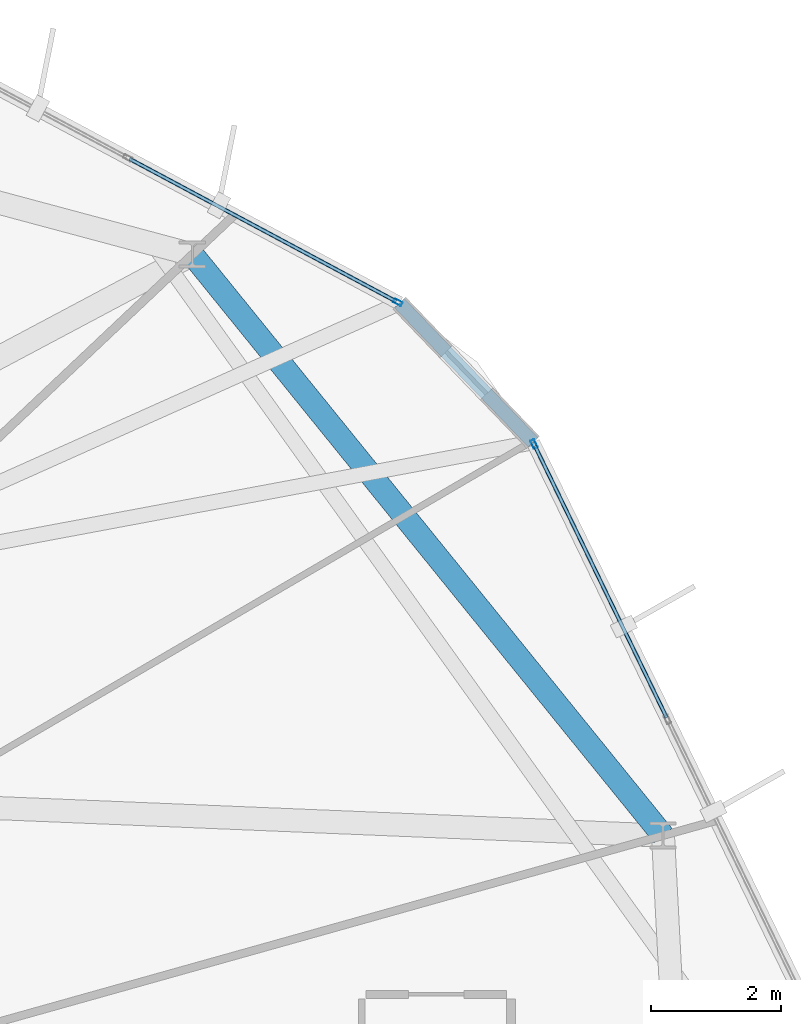
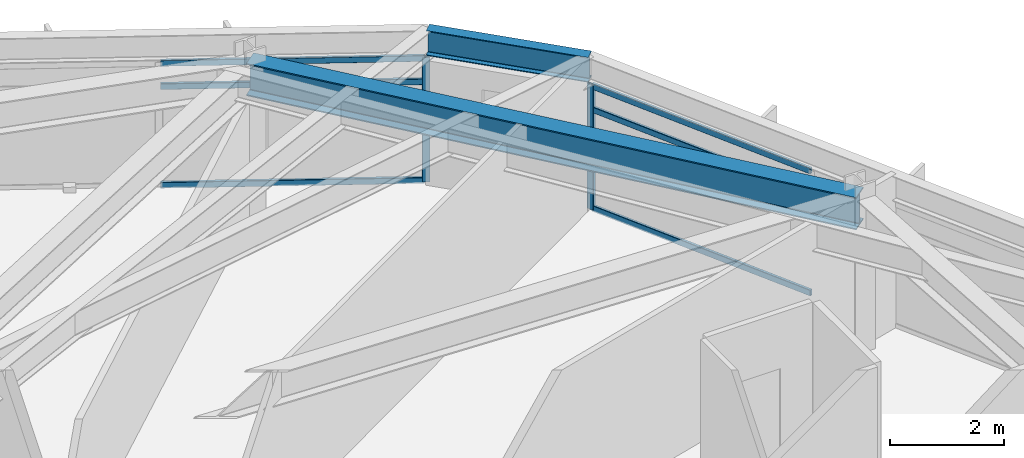
# One storey, part 18 of 26: 8 members, 2 beams, 2 elements without a shape of their own.
"""IFC4 building model written with IfcOpenShell, lengths in metres."""

from ifc_helpers import new_model, si_unit, direction, frame, origin, origin_2d, place, context, subcontext, project, spatial, hollow_rectangle, i_section, extrude, material, layer, layer_set, material_profile, profile_set, type_object, element, aggregate, save


model = new_model("IFC4")

# Units and contexts
model_context = context("Model", 3, precision=1e-05, world=origin(), true_north=direction((0.0, 1.0)))
body_context = subcontext(model_context, "Body", "Model", "MODEL_VIEW")
ifc_project = project(units=[si_unit("LENGTHUNIT", "METRE"), si_unit("AREAUNIT", "SQUARE_METRE"), si_unit("VOLUMEUNIT", "CUBIC_METRE"), si_unit("PLANEANGLEUNIT", "RADIAN"), si_unit("MASSUNIT", "GRAM", prefix="KILO")], contexts=[model_context])

# Site, building, storey
site_placement = place(None, origin())
site = spatial("IfcSite", under=ifc_project, at=site_placement, CompositionType="ELEMENT")
building_placement = place(site_placement, origin())
building = spatial("IfcBuilding", under=site, at=building_placement, Name="Soratama Intermodal Tower", CompositionType="ELEMENT")
storey_placement = place(building_placement, frame((0.0, 0.0, 194.199951171875)))
storey = spatial("IfcBuildingStorey", under=building, at=storey_placement, Name="L48", CompositionType="ELEMENT", Elevation=194.199951171875)

# Beams
ifc_material_1 = material(Name="Structural steel ASTM A992 Grade 50", Category="steel")
ifc_material_profile_1 = material_profile(ifc_material_1, i_section(OverallWidth=0.35498046875, OverallDepth=0.695068359375, WebThickness=0.015380859375, FlangeThickness=0.02490234375, FilletRadius=0.01611328125, at=origin_2d()), Name="W27X146")
ifc_profile_set_1 = profile_set([ifc_material_profile_1], Name="Structural steel ASTM A992 Grade 50")
beam_type_1 = type_object("IfcBeamType", Name="BM-RING-W27X146", PredefinedType="BEAM", material=ifc_profile_set_1)
beam_1_placement = place(storey_placement, frame((62.364990234375, 31.666015625, 2.95263671875), z_axis=(-0.629384551156, 0.777094001242, 0.0), x_axis=(-0.777094001242, -0.629384551156, 0.0)))
element("IfcBeam", 1, at=beam_1_placement, inside=storey, type_object=beam_type_1, Name="BM-L48-RING-01", PredefinedType="BEAM", context=body_context, shape_type="SweptSolid", body=[
    extrude(i_section(OverallWidth=0.35498046875, OverallDepth=0.695068359375, WebThickness=0.015380859375, FlangeThickness=0.02490234375, FilletRadius=0.01611328125, at=origin_2d()), origin(), (0.0, 0.0, 1.0), 11.49560546875),
])
ifc_material_2 = material(Name="Structural steel ASTM A992 Grade 50", Category="steel")
ifc_material_profile_2 = material_profile(ifc_material_2, i_section(OverallWidth=0.2099609375, OverallDepth=0.537109375, WebThickness=0.010986328125, FlangeThickness=0.017333984375, FilletRadius=0.012939453125, at=origin_2d()), Name="W21X68")
ifc_profile_set_2 = profile_set([ifc_material_profile_2], Name="Structural steel ASTM A992 Grade 50")
beam_type_2 = type_object("IfcBeamType", Name="BM-SPN-W21X68", PredefinedType="SPANDREL", material=ifc_profile_set_2)
beam_2_placement = place(storey_placement, frame((60.368896484375, 37.7119140625, 3.031494140625), z_axis=(-0.692937671627, 0.720997491841, 0.0), x_axis=(-0.720997491841, -0.692937671627, 0.0)))
element("IfcBeam", 2, at=beam_2_placement, inside=storey, type_object=beam_type_2, Name="BS-L48-CRN10", PredefinedType="SPANDREL", context=body_context, shape_type="SweptSolid", body=[
    extrude(i_section(OverallWidth=0.2099609375, OverallDepth=0.537109375, WebThickness=0.010986328125, FlangeThickness=0.017333984375, FilletRadius=0.012939453125, at=origin_2d()), origin(), (0.0, 0.0, 1.0), 2.967041015625),
])

# Curtain wall, member
ifc_material_3 = material(Name="Double-glazed aluminium curtain wall", Category="aluminium")
ifc_layer = layer(ifc_material_3, 0.159912109375)
ifc_layer_set = layer_set([ifc_layer], Name="Double-glazed aluminium curtain wall")
curtain_wall_type = type_object("IfcCurtainWallType", Name="CW-SYS-5", PredefinedType="NOTDEFINED", material=ifc_layer_set)
curtain_wall_1_placement = place(storey_placement, origin())
curtain_wall_1 = element("IfcCurtainWall", 3, at=curtain_wall_1_placement, inside=storey, type_object=curtain_wall_type, Name="L48 Faceted Curtain Wall F01", PredefinedType="NOTDEFINED")
ifc_material_4 = material(Name="Anodised aluminium AA 6063-T6", Category="aluminium")
ifc_material_profile_3 = material_profile(ifc_material_4, hollow_rectangle(XDim=0.06494140625, YDim=0.139892578125, WallThickness=0.0048828125, InnerFilletRadius=0.0048828125, OuterFilletRadius=0.010009765625, at=origin_2d()), Name="CWM140X65X5")
ifc_profile_set_3 = profile_set([ifc_material_profile_3], Name="Anodised aluminium AA 6063-T6")
member_type_1 = type_object("IfcMemberType", Name="MT-CWM-5", PredefinedType="MULLION", material=ifc_profile_set_3)
member_1_placement = place(storey_placement, frame((58.286865234375, 39.865234375, 0.0), z_axis=(0.0, 0.0, 1.0), x_axis=(-0.471624757296, -0.881799346964, 0.0)))
member_1 = element("IfcMember", 4, at=member_1_placement, type_object=member_type_1, Name="CW-5 mullion 1", PredefinedType="MULLION", context=body_context, shape_type="SweptSolid", body=[
    extrude(hollow_rectangle(XDim=0.06494140625, YDim=0.139892578125, WallThickness=0.0048828125, InnerFilletRadius=0.0048828125, OuterFilletRadius=0.010009765625, at=origin_2d()), origin(), (0.0, 0.0, 1.0), 2.678955078125),
])

curtain_wall_2_placement = place(storey_placement, origin())
curtain_wall_2 = element("IfcCurtainWall", 5, at=curtain_wall_2_placement, inside=storey, type_object=curtain_wall_type, Name="L48 Faceted Curtain Wall F10", PredefinedType="NOTDEFINED")
member_2_placement = place(storey_placement, frame((60.382080078125, 37.68505859375, 0.0), z_axis=(0.0, 0.0, 1.0), x_axis=(-0.899866601949, -0.436165219496, 0.0)))
member_2 = element("IfcMember", 6, at=member_2_placement, type_object=member_type_1, Name="CW-5 mullion 3", PredefinedType="MULLION", context=body_context, shape_type="SweptSolid", body=[
    extrude(hollow_rectangle(XDim=0.06494140625, YDim=0.139892578125, WallThickness=0.0048828125, InnerFilletRadius=0.0048828125, OuterFilletRadius=0.010009765625, at=origin_2d()), origin(), (0.0, 0.0, 1.0), 2.678955078125),
])

# Member
ifc_material_5 = material(Name="Anodised aluminium AA 6063-T6", Category="aluminium")
ifc_material_profile_4 = material_profile(ifc_material_5, hollow_rectangle(XDim=0.06005859375, YDim=0.1298828125, WallThickness=0.0048828125, InnerFilletRadius=0.0048828125, OuterFilletRadius=0.010009765625, at=origin_2d()), Name="CWT130X60X5")
ifc_profile_set_4 = profile_set([ifc_material_profile_4], Name="Anodised aluminium AA 6063-T6")
member_type_2 = type_object("IfcMemberType", Name="TT-CWT-2", PredefinedType="USERDEFINED", material=ifc_profile_set_4)
member_3_placement = place(storey_placement, frame((58.260498046875, 39.87939453125, 0.030029296875), z_axis=(-0.881802431852, 0.471618989418, 0.0), x_axis=(-0.471618989418, -0.881802431852, 0.0)))
member_3 = element("IfcMember", 7, at=member_3_placement, type_object=member_type_2, Name="CW-5 transom 1.1", ObjectType="TRANSOM", PredefinedType="USERDEFINED", context=body_context, shape_type="SweptSolid", body=[
    extrude(hollow_rectangle(XDim=0.06005859375, YDim=0.1298828125, WallThickness=0.0048828125, InnerFilletRadius=0.0048828125, OuterFilletRadius=0.010009765625, at=origin_2d()), origin(), (0.0, 0.0, 1.0), 4.6455078125),
])

member_4_placement = place(storey_placement, frame((58.260498046875, 39.87939453125, 2.150146484375), z_axis=(-0.881802431852, 0.471618989418, 0.0), x_axis=(-0.471618989418, -0.881802431852, 0.0)))
member_4 = element("IfcMember", 8, at=member_4_placement, type_object=member_type_2, Name="CW-5 transom 1.2", ObjectType="TRANSOM", PredefinedType="USERDEFINED", context=body_context, shape_type="SweptSolid", body=[
    extrude(hollow_rectangle(XDim=0.06005859375, YDim=0.1298828125, WallThickness=0.0048828125, InnerFilletRadius=0.0048828125, OuterFilletRadius=0.010009765625, at=origin_2d()), origin(), (0.0, 0.0, 1.0), 4.6455078125),
])

member_5_placement = place(storey_placement, frame((58.260498046875, 39.87939453125, 2.649169921875), z_axis=(-0.881802431852, 0.471618989418, 0.0), x_axis=(-0.471618989418, -0.881802431852, 0.0)))
member_5 = element("IfcMember", 9, at=member_5_placement, type_object=member_type_2, Name="CW-5 transom 1.3", ObjectType="TRANSOM", PredefinedType="USERDEFINED", context=body_context, shape_type="SweptSolid", body=[
    extrude(hollow_rectangle(XDim=0.06005859375, YDim=0.1298828125, WallThickness=0.0048828125, InnerFilletRadius=0.0048828125, OuterFilletRadius=0.010009765625, at=origin_2d()), origin(), (0.0, 0.0, 1.0), 4.6455078125),
])

aggregate(curtain_wall_1, [member_1, member_3, member_4, member_5])

member_6_placement = place(storey_placement, frame((62.42138671875, 33.477783203125, 0.030029296875), z_axis=(-0.436143270331, 0.899877240375, 0.0), x_axis=(-0.899877240375, -0.436143270331, 0.0)))
member_6 = element("IfcMember", 10, at=member_6_placement, type_object=member_type_2, Name="CW-5 transom 2.1", ObjectType="TRANSOM", PredefinedType="USERDEFINED", context=body_context, shape_type="SweptSolid", body=[
    extrude(hollow_rectangle(XDim=0.06005859375, YDim=0.1298828125, WallThickness=0.0048828125, InnerFilletRadius=0.0048828125, OuterFilletRadius=0.010009765625, at=origin_2d()), origin(), (0.0, 0.0, 1.0), 4.6455078125),
])

member_7_placement = place(storey_placement, frame((62.42138671875, 33.477783203125, 2.150146484375), z_axis=(-0.436143270331, 0.899877240375, 0.0), x_axis=(-0.899877240375, -0.436143270331, 0.0)))
member_7 = element("IfcMember", 11, at=member_7_placement, type_object=member_type_2, Name="CW-5 transom 2.2", ObjectType="TRANSOM", PredefinedType="USERDEFINED", context=body_context, shape_type="SweptSolid", body=[
    extrude(hollow_rectangle(XDim=0.06005859375, YDim=0.1298828125, WallThickness=0.0048828125, InnerFilletRadius=0.0048828125, OuterFilletRadius=0.010009765625, at=origin_2d()), origin(), (0.0, 0.0, 1.0), 4.6455078125),
])

member_8_placement = place(storey_placement, frame((62.42138671875, 33.477783203125, 2.649169921875), z_axis=(-0.436143270331, 0.899877240375, 0.0), x_axis=(-0.899877240375, -0.436143270331, 0.0)))
member_8 = element("IfcMember", 12, at=member_8_placement, type_object=member_type_2, Name="CW-5 transom 2.3", ObjectType="TRANSOM", PredefinedType="USERDEFINED", context=body_context, shape_type="SweptSolid", body=[
    extrude(hollow_rectangle(XDim=0.06005859375, YDim=0.1298828125, WallThickness=0.0048828125, InnerFilletRadius=0.0048828125, OuterFilletRadius=0.010009765625, at=origin_2d()), origin(), (0.0, 0.0, 1.0), 4.6455078125),
])

aggregate(curtain_wall_2, [member_2, member_6, member_7, member_8])

save(model, "model.ifc")
